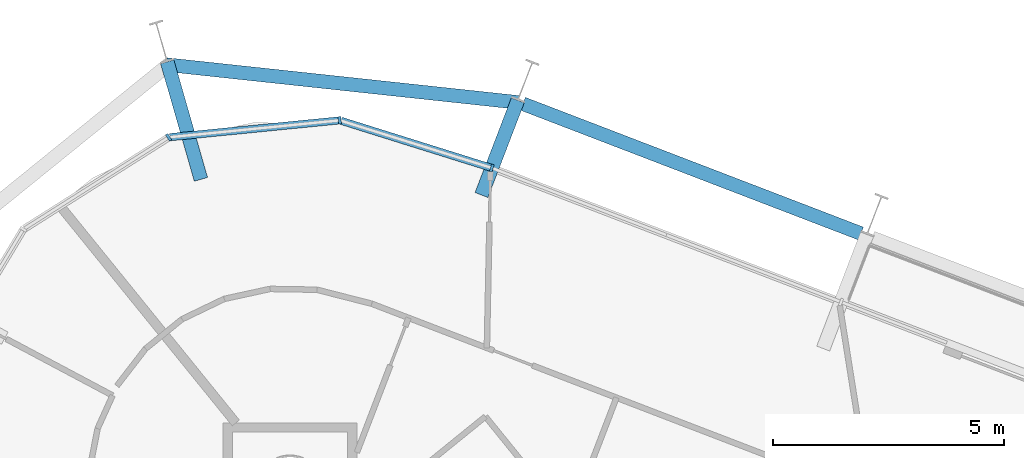
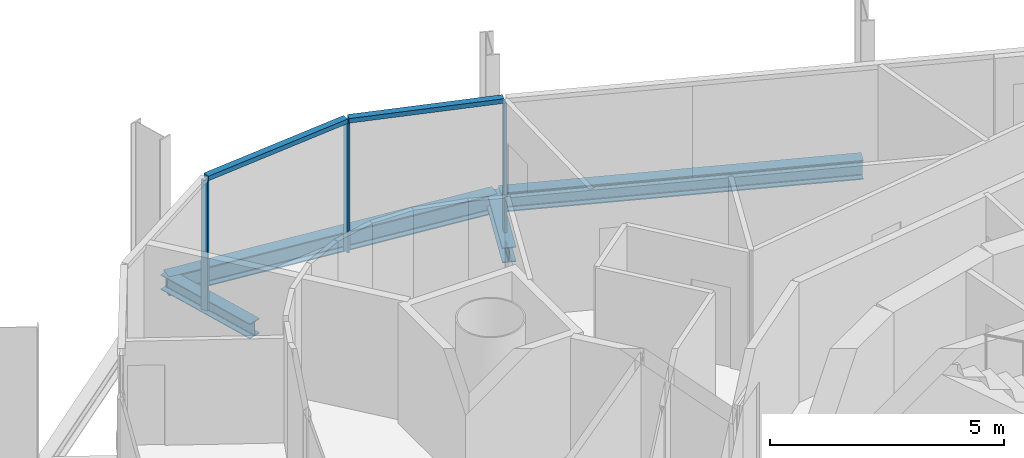
# One storey, part 8 of 17: 5 members, 4 beams, 1 element without a shape of its own.
"""IFC4 building model written with IfcOpenShell, lengths in metres."""

import ifcopenshell
import ifcopenshell.guid

model = None  # the IFC model being written
_history = None  # IfcOwnerHistory: only IFC2X3 demands one
_inside = {}  # id of a spatial element -> (the spatial element, [elements in it])
_under = {}  # id of a project, library or spatial element -> (it, [spatial elements below it])
_declared = {}  # id of a project -> (the project, [libraries it declares])
_typed = {}  # id of a type object -> (the type object, [elements of that type])
_made_of = {}  # id of a material, layer set ... -> (it, [elements and type objects made of it])


def new_model(schema):
    """Start an empty IFC model of exactly this schema.

    Asked for "IFC4X3", IfcOpenShell would pick the latest addendum, in which some entities
    have other attributes; the version numbers below select the first issue.
    IFC2X3 requires an IfcOwnerHistory on every rooted entity: one is made here for all.
    """
    global model, _history
    if schema == "IFC4X3":
        model = ifcopenshell.file(schema_version=(4, 3, 0, 0))
    else:
        model = ifcopenshell.file(schema=schema)
    _inside.clear()
    _under.clear()
    _declared.clear()
    _typed.clear()
    _made_of.clear()
    _history = None
    if model.schema == "IFC2X3":
        org = make("IfcOrganization", Name="unknown")
        user = make(
            "IfcPersonAndOrganization",
            ThePerson=make("IfcPerson", FamilyName="unknown"),
            TheOrganization=org,
        )
        app = make(
            "IfcApplication",
            ApplicationDeveloper=org,
            Version="unknown",
            ApplicationFullName="unknown",
            ApplicationIdentifier="unknown",
        )
        _history = make(
            "IfcOwnerHistory",
            OwningUser=user,
            OwningApplication=app,
            ChangeAction="ADDED",
            CreationDate=0,
        )
    return model


def make(cls, **values):
    """One entity of the class cls with the attributes given. An attribute that is None is left unset."""
    return model.create_entity(
        cls, **{name: value for name, value in values.items() if value is not None}
    )


def rooted(cls, **values):
    """An entity with a GlobalId (a new one), such as an element, a storey or a relation."""
    return make(cls, GlobalId=ifcopenshell.guid.new(), OwnerHistory=_history, **values)


def si_unit(unit_type, name, prefix=None):
    """IfcSIUnit, for example si_unit("LENGTHUNIT", "METRE", prefix="MILLI")."""
    return make("IfcSIUnit", UnitType=unit_type, Prefix=prefix, Name=name)


def assignment(units):
    """IfcUnitAssignment: the units of a project."""
    return None if units is None else make("IfcUnitAssignment", Units=units)


def point(xyz):
    """IfcCartesianPoint."""
    return None if xyz is None else make("IfcCartesianPoint", Coordinates=xyz)


def direction(xyz):
    """IfcDirection."""
    return None if xyz is None else make("IfcDirection", DirectionRatios=xyz)


def frame(location, z_axis=None, x_axis=None):
    """IfcAxis2Placement3D, a coordinate frame: its origin and axes. An axis left out is left unset."""
    return make(
        "IfcAxis2Placement3D",
        Location=point(location),
        Axis=direction(z_axis),
        RefDirection=direction(x_axis),
    )


def frame_2d(location, x_axis=None):
    """IfcAxis2Placement2D, a coordinate frame in the plane: its origin and x axis."""
    return make(
        "IfcAxis2Placement2D", Location=point(location), RefDirection=direction(x_axis)
    )


def origin():
    """The frame at (0, 0, 0) with its axes left unset."""
    return frame((0.0, 0.0, 0.0))


def origin_2d():
    """The frame at (0, 0) in the plane with its x axis left unset."""
    return frame_2d((0.0, 0.0))


def place(relative_to, where):
    """IfcLocalPlacement: puts the frame where relative to a parent placement (None: the world)."""
    return make(
        "IfcLocalPlacement", PlacementRelTo=relative_to, RelativePlacement=where
    )


def context(
    kind, dimensions, precision=None, world=None, true_north=None, identifier=None
):
    """IfcGeometricRepresentationContext, for example the 3D "Model" context."""
    return make(
        "IfcGeometricRepresentationContext",
        ContextIdentifier=identifier,
        ContextType=kind,
        CoordinateSpaceDimension=dimensions,
        Precision=precision,
        WorldCoordinateSystem=world,
        TrueNorth=true_north,
    )


def subcontext(parent, identifier, kind, view, scale=None):
    """IfcGeometricRepresentationSubContext, for example "Body" below "Model"."""
    return make(
        "IfcGeometricRepresentationSubContext",
        ContextIdentifier=identifier,
        ContextType=kind,
        ParentContext=parent,
        TargetScale=scale,
        TargetView=view,
    )


def project(units=None, contexts=None):
    """IfcProject with its units and contexts."""
    return rooted(
        "IfcProject",
        Name="project",
        RepresentationContexts=contexts,
        UnitsInContext=assignment(units),
    )


def spatial(cls, under=None, at=None, **own):
    """A site, building, storey or space (cls), placed at a placement, below another one or the project."""
    s = rooted(cls, ObjectPlacement=at, **own)
    if under is not None:
        _under.setdefault(under.id(), (under, []))[1].append(s)
    return s


def profile(cls, at=None, kind="AREA", **sizes):
    """A parametric profile (cls). Its sizes go by their IFC names, for example OverallWidth=200.0."""
    return make(cls, ProfileType=kind, Position=at, **sizes)


def rectangle(**sizes):
    """IfcRectangleProfileDef."""
    return profile("IfcRectangleProfileDef", **sizes)


def i_section(**sizes):
    """IfcIShapeProfileDef."""
    return profile("IfcIShapeProfileDef", **sizes)


def extrude(swept, where, along, depth):
    """IfcExtrudedAreaSolid: the profile swept, set in the frame where, extruded along a direction by depth."""
    return make(
        "IfcExtrudedAreaSolid",
        SweptArea=swept,
        Position=where,
        ExtrudedDirection=direction(along),
        Depth=depth,
    )


def shape(context_of_items, identifier, shape_type, items):
    """IfcShapeRepresentation: the items that make up one representation, for example the "Body"."""
    return make(
        "IfcShapeRepresentation",
        ContextOfItems=context_of_items,
        RepresentationIdentifier=identifier,
        RepresentationType=shape_type,
        Items=items,
    )


def material(Name=None, Category=None):
    """IfcMaterial."""
    return make("IfcMaterial", Name=Name, Category=Category)


def layer(
    of_material, thickness, ventilated=None, Name=None, Category=None, Priority=None
):
    """IfcMaterialLayer: one layer of a wall or slab, of a material (None: an air gap)."""
    return make(
        "IfcMaterialLayer",
        Material=of_material,
        LayerThickness=thickness,
        IsVentilated=ventilated,
        Name=Name,
        Category=Category,
        Priority=Priority,
    )


def layer_set(layers, Name=None):
    """IfcMaterialLayerSet."""
    return make("IfcMaterialLayerSet", MaterialLayers=layers, LayerSetName=Name)


def material_profile(
    of_material, cross_section, Name=None, Category=None, Priority=None
):
    """IfcMaterialProfile: a cross section and its material."""
    return make(
        "IfcMaterialProfile",
        Name=Name,
        Material=of_material,
        Profile=cross_section,
        Priority=Priority,
        Category=Category,
    )


def profile_set(profiles, Name=None, composite=None):
    """IfcMaterialProfileSet."""
    return make(
        "IfcMaterialProfileSet",
        Name=Name,
        MaterialProfiles=profiles,
        CompositeProfile=composite,
    )


def made_of(thing, what):
    """Note that an element or type object is made of a material, layer set ...; save() writes the relation."""
    if what is not None:
        _made_of.setdefault(what.id(), (what, []))[1].append(thing)
    return thing


def type_object(cls, material=None, **own):
    """A type object (cls), such as IfcWallType, which elements share."""
    return made_of(rooted(cls, **own), material)


def element(
    cls,
    number,
    at=None,
    inside=None,
    cuts=None,
    type_object=None,
    material=None,
    context=None,
    identifier="Body",
    shape_type=None,
    held_by="IfcProductDefinitionShape",
    body=None,
    shapes=None,
    **own,
):
    """One element of the class cls, such as IfcWall. Its Tag is "e" and its number.

    at: its placement. inside: the storey or other place that contains it. cuts: it is an
    opening in that element (IfcRelVoidsElement). A single representation is given by context,
    identifier, shape_type and body (its items); several are given by shapes. held_by: the class
    of the entity that holds the representations. save() writes the other relations.
    """
    e = rooted(cls, Tag="e%d" % number, ObjectPlacement=at, **own)
    if body is not None:
        shapes = [shape(context, identifier, shape_type, body)]
    if shapes is not None:
        e.Representation = make(held_by, Representations=shapes)
    if inside is not None:
        _inside.setdefault(inside.id(), (inside, []))[1].append(e)
    if cuts is not None:
        rooted(
            "IfcRelVoidsElement", RelatingBuildingElement=cuts, RelatedOpeningElement=e
        )
    if type_object is not None:
        _typed.setdefault(type_object.id(), (type_object, []))[1].append(e)
    return made_of(e, material)


def aggregate(whole, parts):
    """IfcRelAggregates: a whole, such as a stair, and the parts it consists of."""
    return rooted("IfcRelAggregates", RelatingObject=whole, RelatedObjects=parts)


def save(model, path):
    """Write the relations noted so far, then the file.

    IfcRelAggregates (storeys below a building ...), IfcRelContainedInSpatialStructure (elements
    in a storey), IfcRelDefinesByType, IfcRelAssociatesMaterial and IfcRelDeclares: one each for
    every whole, place, type object, material and project.
    """
    for whole, parts in _under.values():
        aggregate(whole, parts)
    for where, things in _inside.values():
        rooted(
            "IfcRelContainedInSpatialStructure",
            RelatedElements=things,
            RelatingStructure=where,
        )
    for kind, things in _typed.values():
        rooted("IfcRelDefinesByType", RelatedObjects=things, RelatingType=kind)
    for what, things in _made_of.values():
        rooted("IfcRelAssociatesMaterial", RelatedObjects=things, RelatingMaterial=what)
    for by, libraries in _declared.values():
        rooted("IfcRelDeclares", RelatingContext=by, RelatedDefinitions=libraries)
    model.write(path)


model = new_model("IFC4")

# Units and contexts
model_context = context("Model", 3, precision=1e-05, world=origin(), true_north=direction((0.0, 1.0)))
body_context = subcontext(model_context, "Body", "Model", "MODEL_VIEW")
ifc_project = project(units=[si_unit("LENGTHUNIT", "METRE"), si_unit("AREAUNIT", "SQUARE_METRE"), si_unit("VOLUMEUNIT", "CUBIC_METRE"), si_unit("PLANEANGLEUNIT", "RADIAN"), si_unit("MASSUNIT", "GRAM", prefix="KILO")], contexts=[model_context])

# Site, building, storey
site_placement = place(None, origin())
site = spatial("IfcSite", under=ifc_project, at=site_placement, CompositionType="ELEMENT")
building_placement = place(site_placement, origin())
building = spatial("IfcBuilding", under=site, at=building_placement, Name="Spindle Arch Residences", CompositionType="ELEMENT")
storey_placement = place(building_placement, frame((0.0, 0.0, 284.39990234375)))
storey = spatial("IfcBuildingStorey", under=building, at=storey_placement, Name="L73", CompositionType="ELEMENT", Elevation=284.39990234375)

# Curtain wall, members
ifc_material_1 = material(Name="Aluminium bronze unitised frame with tinted glass", Category="aluminium")
ifc_layer = layer(ifc_material_1, 0.159912109375)
ifc_layer_set = layer_set([ifc_layer], Name="CW-D corner wall on the fillet arcs")
curtain_wall_type = type_object("IfcCurtainWallType", Name="CW-D corner wall on the fillet arcs", PredefinedType="NOTDEFINED", material=ifc_layer_set)
curtain_wall_placement = place(storey_placement, origin())
curtain_wall = element("IfcCurtainWall", 1, at=curtain_wall_placement, inside=storey, type_object=curtain_wall_type, Name="CW-D L73 run 3", PredefinedType="NOTDEFINED")
ifc_material_2 = material(Name="Aluminium bronze anodised mullion", Category="aluminium")
ifc_material_profile_1 = material_profile(ifc_material_2, rectangle(XDim=0.159912109375, YDim=0.06005859375, at=origin_2d()), Name="MU 60x160")
ifc_profile_set_1 = profile_set([ifc_material_profile_1], Name="Aluminium bronze anodised mullion")
member_type_1 = type_object("IfcMemberType", Name="Bronze mullion 60x160", PredefinedType="MULLION", material=ifc_profile_set_1)
member_1_placement = place(storey_placement, frame((-7.577880859375, 21.73583984375, -0.3798828125), z_axis=(0.0, 0.0, 1.0), x_axis=(-0.298802665594, -0.954314920262, 0.0)))
member_1 = element("IfcMember", 2, at=member_1_placement, type_object=member_type_1, Name="CW-D mullion 00", PredefinedType="MULLION", context=body_context, shape_type="SweptSolid", body=[
    extrude(rectangle(XDim=0.159912109375, YDim=0.06005859375, at=origin_2d()), origin(), (0.0, 0.0, 1.0), 3.3798828125),
])
member_2_placement = place(storey_placement, frame((-10.874755859375, 22.768310546875, -0.3798828125), z_axis=(0.0, 0.0, 1.0), x_axis=(0.098740832762, -0.995113183485, 0.0)))
member_2 = element("IfcMember", 3, at=member_2_placement, type_object=member_type_1, Name="CW-D mullion 01", PredefinedType="MULLION", context=body_context, shape_type="SweptSolid", body=[
    extrude(rectangle(XDim=0.159912109375, YDim=0.06005859375, at=origin_2d()), origin(), (0.0, 0.0, 1.0), 3.3798828125),
])
member_3_placement = place(storey_placement, frame((-14.58349609375, 22.400390625, -0.3798828125), z_axis=(0.0, 0.0, 1.0), x_axis=(0.534844015322, -0.844950814707, 0.0)))
member_3 = element("IfcMember", 4, at=member_3_placement, type_object=member_type_1, Name="CW-D mullion 02", PredefinedType="MULLION", context=body_context, shape_type="SweptSolid", body=[
    extrude(rectangle(XDim=0.159912109375, YDim=0.06005859375, at=origin_2d()), origin(), (0.0, 0.0, 1.0), 3.3798828125),
])
ifc_material_3 = material(Name="Aluminium bronze anodised transom", Category="aluminium")
ifc_material_profile_2 = material_profile(ifc_material_3, rectangle(XDim=0.159912109375, YDim=0.1201171875, at=origin_2d()), Name="TR 120x160")
ifc_profile_set_2 = profile_set([ifc_material_profile_2], Name="Aluminium bronze anodised transom")
member_type_2 = type_object("IfcMemberType", Name="Bronze transom 120x160", PredefinedType="USERDEFINED", material=ifc_profile_set_2)
member_4_placement = place(storey_placement, frame((-7.6064453125, 21.744873046875, 3.06005859375), z_axis=(-0.95431347792, 0.298807272099, 0.0), x_axis=(-0.298807272099, -0.95431347792, 0.0)))
member_4 = element("IfcMember", 5, at=member_4_placement, type_object=member_type_2, Name="CW-D transom 00", ObjectType="TRANSOM", PredefinedType="USERDEFINED", context=body_context, shape_type="SweptSolid", body=[
    extrude(rectangle(XDim=0.159912109375, YDim=0.1201171875, at=origin_2d()), origin(), (0.0, 0.0, 1.0), 3.394775390625),
])
member_5_placement = place(storey_placement, frame((-10.90478515625, 22.765380859375, 3.06005859375), z_axis=(-0.99511271598, -0.098745544182, 0.0), x_axis=(0.098745544182, -0.99511271598, 0.0)))
member_5 = element("IfcMember", 6, at=member_5_placement, type_object=member_type_2, Name="CW-D transom 01", ObjectType="TRANSOM", PredefinedType="USERDEFINED", context=body_context, shape_type="SweptSolid", body=[
    extrude(rectangle(XDim=0.159912109375, YDim=0.1201171875, at=origin_2d()), origin(), (0.0, 0.0, 1.0), 3.66650390625),
])
aggregate(curtain_wall, [member_1, member_4, member_2, member_5, member_3])

# Beams
ifc_material_4 = material(Name="Steel S460ML, intumescent coating R 120", Category="steel")
ifc_material_profile_3 = material_profile(ifc_material_4, i_section(OverallWidth=0.300048828125, OverallDepth=0.5, WebThickness=0.014404296875, FlangeThickness=0.028076171875, FilletRadius=0.027099609375, at=origin_2d()), Name="HEB 500")
ifc_profile_set_3 = profile_set([ifc_material_profile_3], Name="Steel S460ML, intumescent coating R 120")
beam_type_1 = type_object("IfcBeamType", Name="Exoskeleton edge beam HEB 500", PredefinedType="BEAM", material=ifc_profile_set_3)
beam_1_placement = place(storey_placement, frame((0.421875, 20.314697265625, -0.6298828125), z_axis=(-0.933573929793, 0.358384873579, 0.0), x_axis=(-0.358384873579, -0.933573929793, 0.0)))
element("IfcBeam", 7, at=beam_1_placement, inside=storey, type_object=beam_type_1, Name="Exoskeleton edge beam 8", PredefinedType="BEAM", context=body_context, shape_type="SweptSolid", body=[
    extrude(i_section(OverallWidth=0.300048828125, OverallDepth=0.5, WebThickness=0.014404296875, FlangeThickness=0.028076171875, FilletRadius=0.027099609375, at=origin_2d()), origin(), (0.0, 0.0, 1.0), 7.84765625),
])
beam_2_placement = place(storey_placement, frame((-7.004150390625, 23.156005859375, -0.6298828125), z_axis=(-0.994272602523, 0.106873719275, 0.0), x_axis=(-0.106873719275, -0.994272602523, 0.0)))
element("IfcBeam", 8, at=beam_2_placement, inside=storey, type_object=beam_type_1, Name="Exoskeleton edge beam 9", PredefinedType="BEAM", context=body_context, shape_type="SweptSolid", body=[
    extrude(i_section(OverallWidth=0.300048828125, OverallDepth=0.5, WebThickness=0.014404296875, FlangeThickness=0.028076171875, FilletRadius=0.027099609375, at=origin_2d()), origin(), (0.0, 0.0, 1.0), 7.668701171875),
])
ifc_material_5 = material(Name="Steel S460ML, intumescent coating R 120", Category="steel")
ifc_material_profile_4 = material_profile(ifc_material_5, i_section(OverallWidth=0.300048828125, OverallDepth=0.389892578125, WebThickness=0.010986328125, FlangeThickness=0.01904296875, FilletRadius=0.027099609375, at=origin_2d()), Name="HEA 400")
ifc_profile_set_4 = profile_set([ifc_material_profile_4], Name="Steel S460ML, intumescent coating R 120")
beam_type_2 = type_object("IfcBeamType", Name="Floor outrigger HEA 400", PredefinedType="BEAM", material=ifc_profile_set_4)
beam_3_placement = place(storey_placement, frame((-7.01513671875, 23.20166015625, -0.574951171875), z_axis=(-0.358391076308, -0.933571548636, 0.0), x_axis=(0.933571548636, -0.358391076308, 0.0)))
element("IfcBeam", 9, at=beam_3_placement, inside=storey, type_object=beam_type_2, Name="Floor outrigger 9", PredefinedType="BEAM", context=body_context, shape_type="SweptSolid", body=[
    extrude(i_section(OverallWidth=0.300048828125, OverallDepth=0.389892578125, WebThickness=0.010986328125, FlangeThickness=0.01904296875, FilletRadius=0.027099609375, at=origin_2d()), origin(), (0.0, 0.0, 1.0), 2.1982421875),
])
beam_4_placement = place(storey_placement, frame((-14.61328125, 24.03662109375, -0.574951171875), z_axis=(0.275730877709, -0.961234874044, 0.0), x_axis=(0.961234874044, 0.275730877709, 0.0)))
element("IfcBeam", 10, at=beam_4_placement, inside=storey, type_object=beam_type_2, Name="Floor outrigger 10", PredefinedType="BEAM", context=body_context, shape_type="SweptSolid", body=[
    extrude(i_section(OverallWidth=0.300048828125, OverallDepth=0.389892578125, WebThickness=0.010986328125, FlangeThickness=0.01904296875, FilletRadius=0.027099609375, at=origin_2d()), origin(), (0.0, 0.0, 1.0), 2.650146484375),
])

save(model, "model.ifc")
